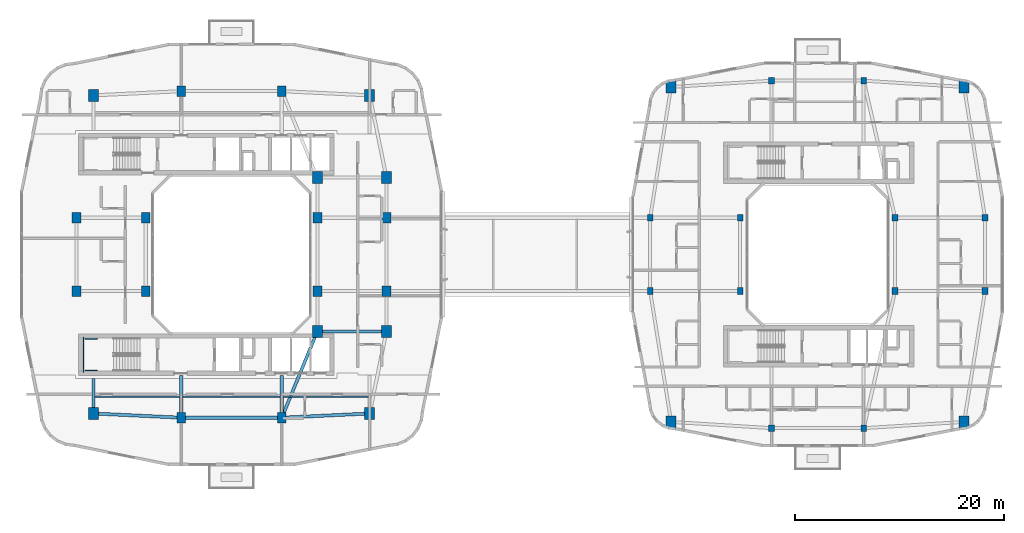
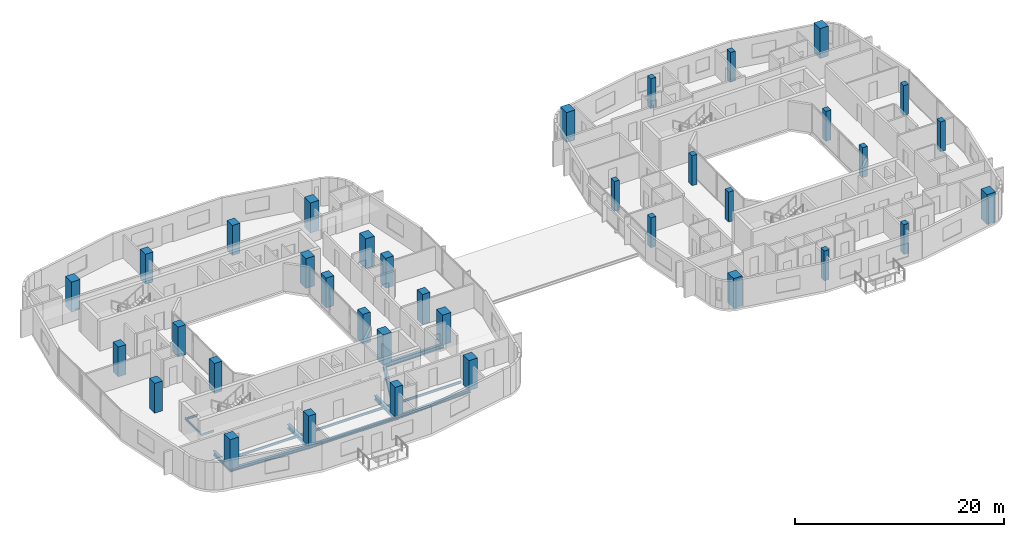
# One storey, part 1 of 22: 36 columns, 14 beams.
"""IFC4 building model written with IfcOpenShell, lengths in metres."""

import ifcopenshell
import ifcopenshell.guid

model = None  # the IFC model being written
_history = None  # IfcOwnerHistory: only IFC2X3 demands one
_inside = {}  # id of a spatial element -> (the spatial element, [elements in it])
_under = {}  # id of a project, library or spatial element -> (it, [spatial elements below it])
_declared = {}  # id of a project -> (the project, [libraries it declares])
_typed = {}  # id of a type object -> (the type object, [elements of that type])
_made_of = {}  # id of a material, layer set ... -> (it, [elements and type objects made of it])


def new_model(schema):
    """Start an empty IFC model of exactly this schema.

    Asked for "IFC4X3", IfcOpenShell would pick the latest addendum, in which some entities
    have other attributes; the version numbers below select the first issue.
    IFC2X3 requires an IfcOwnerHistory on every rooted entity: one is made here for all.
    """
    global model, _history
    if schema == "IFC4X3":
        model = ifcopenshell.file(schema_version=(4, 3, 0, 0))
    else:
        model = ifcopenshell.file(schema=schema)
    _inside.clear()
    _under.clear()
    _declared.clear()
    _typed.clear()
    _made_of.clear()
    _history = None
    if model.schema == "IFC2X3":
        org = make("IfcOrganization", Name="unknown")
        user = make(
            "IfcPersonAndOrganization",
            ThePerson=make("IfcPerson", FamilyName="unknown"),
            TheOrganization=org,
        )
        app = make(
            "IfcApplication",
            ApplicationDeveloper=org,
            Version="unknown",
            ApplicationFullName="unknown",
            ApplicationIdentifier="unknown",
        )
        _history = make(
            "IfcOwnerHistory",
            OwningUser=user,
            OwningApplication=app,
            ChangeAction="ADDED",
            CreationDate=0,
        )
    return model


def make(cls, **values):
    """One entity of the class cls with the attributes given. An attribute that is None is left unset."""
    return model.create_entity(
        cls, **{name: value for name, value in values.items() if value is not None}
    )


def rooted(cls, **values):
    """An entity with a GlobalId (a new one), such as an element, a storey or a relation."""
    return make(cls, GlobalId=ifcopenshell.guid.new(), OwnerHistory=_history, **values)


def si_unit(unit_type, name, prefix=None):
    """IfcSIUnit, for example si_unit("LENGTHUNIT", "METRE", prefix="MILLI")."""
    return make("IfcSIUnit", UnitType=unit_type, Prefix=prefix, Name=name)


def derived_unit(unit_type, elements):
    """IfcDerivedUnit: a product of units, each with its exponent."""
    return make(
        "IfcDerivedUnit",
        Elements=[
            make("IfcDerivedUnitElement", Unit=unit, Exponent=power)
            for unit, power in elements
        ],
        UnitType=unit_type,
    )


def assignment(units):
    """IfcUnitAssignment: the units of a project."""
    return None if units is None else make("IfcUnitAssignment", Units=units)


def point(xyz):
    """IfcCartesianPoint."""
    return None if xyz is None else make("IfcCartesianPoint", Coordinates=xyz)


def direction(xyz):
    """IfcDirection."""
    return None if xyz is None else make("IfcDirection", DirectionRatios=xyz)


def frame(location, z_axis=None, x_axis=None):
    """IfcAxis2Placement3D, a coordinate frame: its origin and axes. An axis left out is left unset."""
    return make(
        "IfcAxis2Placement3D",
        Location=point(location),
        Axis=direction(z_axis),
        RefDirection=direction(x_axis),
    )


def frame_2d(location, x_axis=None):
    """IfcAxis2Placement2D, a coordinate frame in the plane: its origin and x axis."""
    return make(
        "IfcAxis2Placement2D", Location=point(location), RefDirection=direction(x_axis)
    )


def origin():
    """The frame at (0, 0, 0) with its axes left unset."""
    return frame((0.0, 0.0, 0.0))


def origin_2d():
    """The frame at (0, 0) in the plane with its x axis left unset."""
    return frame_2d((0.0, 0.0))


def place(relative_to, where):
    """IfcLocalPlacement: puts the frame where relative to a parent placement (None: the world)."""
    return make(
        "IfcLocalPlacement", PlacementRelTo=relative_to, RelativePlacement=where
    )


def context(
    kind, dimensions, precision=None, world=None, true_north=None, identifier=None
):
    """IfcGeometricRepresentationContext, for example the 3D "Model" context."""
    return make(
        "IfcGeometricRepresentationContext",
        ContextIdentifier=identifier,
        ContextType=kind,
        CoordinateSpaceDimension=dimensions,
        Precision=precision,
        WorldCoordinateSystem=world,
        TrueNorth=true_north,
    )


def subcontext(parent, identifier, kind, view, scale=None):
    """IfcGeometricRepresentationSubContext, for example "Body" below "Model"."""
    return make(
        "IfcGeometricRepresentationSubContext",
        ContextIdentifier=identifier,
        ContextType=kind,
        ParentContext=parent,
        TargetScale=scale,
        TargetView=view,
    )


def project(units=None, contexts=None):
    """IfcProject with its units and contexts."""
    return rooted(
        "IfcProject",
        Name="project",
        RepresentationContexts=contexts,
        UnitsInContext=assignment(units),
    )


def spatial(cls, under=None, at=None, **own):
    """A site, building, storey or space (cls), placed at a placement, below another one or the project."""
    s = rooted(cls, ObjectPlacement=at, **own)
    if under is not None:
        _under.setdefault(under.id(), (under, []))[1].append(s)
    return s


def profile(cls, at=None, kind="AREA", **sizes):
    """A parametric profile (cls). Its sizes go by their IFC names, for example OverallWidth=200.0."""
    return make(cls, ProfileType=kind, Position=at, **sizes)


def rectangle(**sizes):
    """IfcRectangleProfileDef."""
    return profile("IfcRectangleProfileDef", **sizes)


def i_section(**sizes):
    """IfcIShapeProfileDef."""
    return profile("IfcIShapeProfileDef", **sizes)


def extrude(swept, where, along, depth):
    """IfcExtrudedAreaSolid: the profile swept, set in the frame where, extruded along a direction by depth."""
    return make(
        "IfcExtrudedAreaSolid",
        SweptArea=swept,
        Position=where,
        ExtrudedDirection=direction(along),
        Depth=depth,
    )


def shape(context_of_items, identifier, shape_type, items):
    """IfcShapeRepresentation: the items that make up one representation, for example the "Body"."""
    return make(
        "IfcShapeRepresentation",
        ContextOfItems=context_of_items,
        RepresentationIdentifier=identifier,
        RepresentationType=shape_type,
        Items=items,
    )


def material(Name=None, Category=None):
    """IfcMaterial."""
    return make("IfcMaterial", Name=Name, Category=Category)


def material_profile(
    of_material, cross_section, Name=None, Category=None, Priority=None
):
    """IfcMaterialProfile: a cross section and its material."""
    return make(
        "IfcMaterialProfile",
        Name=Name,
        Material=of_material,
        Profile=cross_section,
        Priority=Priority,
        Category=Category,
    )


def profile_set(profiles, Name=None, composite=None):
    """IfcMaterialProfileSet."""
    return make(
        "IfcMaterialProfileSet",
        Name=Name,
        MaterialProfiles=profiles,
        CompositeProfile=composite,
    )


def made_of(thing, what):
    """Note that an element or type object is made of a material, layer set ...; save() writes the relation."""
    if what is not None:
        _made_of.setdefault(what.id(), (what, []))[1].append(thing)
    return thing


def type_object(cls, material=None, **own):
    """A type object (cls), such as IfcWallType, which elements share."""
    return made_of(rooted(cls, **own), material)


def element(
    cls,
    number,
    at=None,
    inside=None,
    cuts=None,
    type_object=None,
    material=None,
    context=None,
    identifier="Body",
    shape_type=None,
    held_by="IfcProductDefinitionShape",
    body=None,
    shapes=None,
    **own,
):
    """One element of the class cls, such as IfcWall. Its Tag is "e" and its number.

    at: its placement. inside: the storey or other place that contains it. cuts: it is an
    opening in that element (IfcRelVoidsElement). A single representation is given by context,
    identifier, shape_type and body (its items); several are given by shapes. held_by: the class
    of the entity that holds the representations. save() writes the other relations.
    """
    e = rooted(cls, Tag="e%d" % number, ObjectPlacement=at, **own)
    if body is not None:
        shapes = [shape(context, identifier, shape_type, body)]
    if shapes is not None:
        e.Representation = make(held_by, Representations=shapes)
    if inside is not None:
        _inside.setdefault(inside.id(), (inside, []))[1].append(e)
    if cuts is not None:
        rooted(
            "IfcRelVoidsElement", RelatingBuildingElement=cuts, RelatedOpeningElement=e
        )
    if type_object is not None:
        _typed.setdefault(type_object.id(), (type_object, []))[1].append(e)
    return made_of(e, material)


def aggregate(whole, parts):
    """IfcRelAggregates: a whole, such as a stair, and the parts it consists of."""
    return rooted("IfcRelAggregates", RelatingObject=whole, RelatedObjects=parts)


def save(model, path):
    """Write the relations noted so far, then the file.

    IfcRelAggregates (storeys below a building ...), IfcRelContainedInSpatialStructure (elements
    in a storey), IfcRelDefinesByType, IfcRelAssociatesMaterial and IfcRelDeclares: one each for
    every whole, place, type object, material and project.
    """
    for whole, parts in _under.values():
        aggregate(whole, parts)
    for where, things in _inside.values():
        rooted(
            "IfcRelContainedInSpatialStructure",
            RelatedElements=things,
            RelatingStructure=where,
        )
    for kind, things in _typed.values():
        rooted("IfcRelDefinesByType", RelatedObjects=things, RelatingType=kind)
    for what, things in _made_of.values():
        rooted("IfcRelAssociatesMaterial", RelatedObjects=things, RelatingMaterial=what)
    for by, libraries in _declared.values():
        rooted("IfcRelDeclares", RelatingContext=by, RelatedDefinitions=libraries)
    model.write(path)


model = new_model("IFC4")

# Units and contexts
model_context = context("Model", 3, precision=1e-05, world=origin(), true_north=direction((0.0, 1.0)))
body_context = subcontext(model_context, "Body", "Model", "MODEL_VIEW")
ifc_project = project(units=[si_unit("LENGTHUNIT", "METRE"), si_unit("AREAUNIT", "SQUARE_METRE"), si_unit("VOLUMEUNIT", "CUBIC_METRE"), si_unit("PLANEANGLEUNIT", "RADIAN"), si_unit("MASSUNIT", "GRAM", prefix="KILO"), derived_unit("THERMALTRANSMITTANCEUNIT", [(si_unit("POWERUNIT", "WATT"), 1), (si_unit("LENGTHUNIT", "METRE"), -2), (si_unit("THERMODYNAMICTEMPERATUREUNIT", "KELVIN"), -1)])], contexts=[model_context])

# Site, building, storey
site_placement = place(None, origin())
site = spatial("IfcSite", under=ifc_project, at=site_placement, CompositionType="ELEMENT")
building_placement = place(site_placement, origin())
building = spatial("IfcBuilding", under=site, at=building_placement, Name="Kivonza Crest Hotel", CompositionType="ELEMENT")
storey_placement = place(building_placement, frame((0.0, 0.0, 124.0)))
storey = spatial("IfcBuildingStorey", under=building, at=storey_placement, Name="L33", CompositionType="ELEMENT", Elevation=124.0)

# Columns
ifc_material_1 = material(Name="Concrete C50/60", Category="concrete")
ifc_material_profile_1 = material_profile(ifc_material_1, rectangle(XDim=0.85009765625, YDim=1.0, at=origin_2d()), Name="RC 1000x850")
ifc_profile_set_1 = profile_set([ifc_material_profile_1], Name="Concrete C50/60")
column_type_1 = type_object("IfcColumnType", Name="CL-RC-1000x850", PredefinedType="COLUMN", material=ifc_profile_set_1)
for number, where, z_axis, x_axis, name in (
    (1, (16.199951171875, 9.39990234375, 0.0), (0.0, 0.0, 1.0), (1.0, 0.0, 0.0), "Tower T1 L33 column S1"),
    (2, (25.800048828125, 9.39990234375, 0.0), (0.0, 0.0, 1.0), (1.0, 0.0, 0.0), "Tower T1 L33 column S2"),
    (3, (16.199951171875, 40.60009765625, 0.0), (0.0, 0.0, 1.0), (1.0, 0.0, 0.0), "Tower T1 L33 column N1"),
    (4, (25.800048828125, 40.60009765625, 0.0), (0.0, 0.0, 1.0), (1.0, 0.0, 0.0), "Tower T1 L33 column N2"),
    (5, (6.199951171875, 21.5, 0.0), (0.0, 0.0, 1.0), (1.0, 0.0, 0.0), "Tower T1 L33 column W1"),
    (6, (6.199951171875, 28.5, 0.0), (0.0, 0.0, 1.0), (1.0, 0.0, 0.0), "Tower T1 L33 column W2"),
    (7, (35.800048828125, 21.5, 0.0), (0.0, 0.0, 1.0), (1.0, 0.0, 0.0), "Tower T1 L33 column E1"),
    (8, (35.800048828125, 28.5, 0.0), (0.0, 0.0, 1.0), (1.0, 0.0, 0.0), "Tower T1 L33 column E2"),
    (9, (12.800048828125, 21.5, 0.0), (0.0, 0.0, 1.0), (1.0, 0.0, 0.0), "Tower T1 L33 column WL1"),
    (10, (12.800048828125, 28.5, 0.0), (0.0, 0.0, 1.0), (1.0, 0.0, 0.0), "Tower T1 L33 column WL2"),
    (11, (29.199951171875, 21.5, 0.0), (0.0, 0.0, 1.0), (1.0, 0.0, 0.0), "Tower T1 L33 column WR1"),
    (12, (29.199951171875, 28.5, 0.0), (0.0, 0.0, 1.0), (1.0, 0.0, 0.0), "Tower T1 L33 column WR2"),
):
    element("IfcColumn", number, at=place(storey_placement, frame(where, z_axis=z_axis, x_axis=x_axis)), inside=storey, type_object=column_type_1, Name=name, PredefinedType="COLUMN", context=body_context, shape_type="SweptSolid", body=[
        extrude(rectangle(XDim=0.85009765625, YDim=1.0, at=origin_2d()), origin(), (0.0, 0.0, 1.0), 3.5),
    ])
ifc_material_2 = material(Name="Concrete C60/75", Category="concrete")
ifc_material_profile_2 = material_profile(ifc_material_2, rectangle(XDim=0.949951171875, YDim=1.14990234375, at=origin_2d()), Name="RC 1150x950")
ifc_profile_set_2 = profile_set([ifc_material_profile_2], Name="Concrete C60/75")
column_type_2 = type_object("IfcColumnType", Name="CL-RC-1150x950", PredefinedType="COLUMN", material=ifc_profile_set_2)
for number, where, z_axis, x_axis, name in (
    (13, (7.800048828125, 9.800048828125, 0.0), (0.0, 0.0, 1.0), (1.0, 0.0, 0.0), "Tower T1 L33 column SW"),
    (14, (34.199951171875, 9.800048828125, 0.0), (0.0, 0.0, 1.0), (1.0, 0.0, 0.0), "Tower T1 L33 column SE"),
    (15, (34.199951171875, 40.199951171875, 0.0), (0.0, 0.0, 1.0), (1.0, 0.0, 0.0), "Tower T1 L33 column NE"),
    (16, (7.800048828125, 40.199951171875, 0.0), (0.0, 0.0, 1.0), (1.0, 0.0, 0.0), "Tower T1 L33 column NW"),
    (17, (35.800048828125, 17.64990234375, 0.0), (0.0, 0.0, 1.0), (1.0, 0.0, 0.0), "Tower T1 L33 column PSE"),
    (18, (35.800048828125, 32.35009765625, 0.0), (0.0, 0.0, 1.0), (1.0, 0.0, 0.0), "Tower T1 L33 column PNE"),
    (19, (29.199951171875, 17.64990234375, 0.0), (0.0, 0.0, 1.0), (1.0, 0.0, 0.0), "Tower T1 L33 column TSE"),
    (20, (29.199951171875, 32.35009765625, 0.0), (0.0, 0.0, 1.0), (1.0, 0.0, 0.0), "Tower T1 L33 column TNE"),
    (21, (63.0, 9.0, 0.0), (0.0, 0.0, 1.0), (1.0, 0.0, 0.0), "Companion Tower T2 L33 column SW"),
    (22, (91.0, 9.0, 0.0), (0.0, 0.0, 1.0), (1.0, 0.0, 0.0), "Companion Tower T2 L33 column SE"),
    (23, (91.0, 41.0, 0.0), (0.0, 0.0, 1.0), (1.0, 0.0, 0.0), "Companion Tower T2 L33 column NE"),
    (24, (63.0, 41.0, 0.0), (0.0, 0.0, 1.0), (1.0, 0.0, 0.0), "Companion Tower T2 L33 column NW"),
):
    element("IfcColumn", number, at=place(storey_placement, frame(where, z_axis=z_axis, x_axis=x_axis)), inside=storey, type_object=column_type_2, Name=name, PredefinedType="COLUMN", context=body_context, shape_type="SweptSolid", body=[
        extrude(rectangle(XDim=0.949951171875, YDim=1.14990234375, at=origin_2d()), origin(), (0.0, 0.0, 1.0), 3.5),
    ])
ifc_material_profile_3 = material_profile(ifc_material_1, rectangle(XDim=0.550048828125, YDim=0.64990234375, at=origin_2d()), Name="RC 650x550")
ifc_profile_set_3 = profile_set([ifc_material_profile_3], Name="Concrete C50/60")
column_type_3 = type_object("IfcColumnType", Name="CL-RC-650x550", PredefinedType="COLUMN", material=ifc_profile_set_3)
for number, where, z_axis, x_axis, name in (
    (25, (72.60009765625, 8.39990234375, 0.0), (0.0, 0.0, 1.0), (1.0, 0.0, 0.0), "Companion Tower T2 L33 column S1"),
    (26, (81.39990234375, 8.39990234375, 0.0), (0.0, 0.0, 1.0), (1.0, 0.0, 0.0), "Companion Tower T2 L33 column S2"),
    (27, (72.60009765625, 41.60009765625, 0.0), (0.0, 0.0, 1.0), (1.0, 0.0, 0.0), "Companion Tower T2 L33 column N1"),
    (28, (81.39990234375, 41.60009765625, 0.0), (0.0, 0.0, 1.0), (1.0, 0.0, 0.0), "Companion Tower T2 L33 column N2"),
    (29, (61.0, 21.5, 0.0), (0.0, 0.0, 1.0), (1.0, 0.0, 0.0), "Companion Tower T2 L33 column W1"),
    (30, (61.0, 28.5, 0.0), (0.0, 0.0, 1.0), (1.0, 0.0, 0.0), "Companion Tower T2 L33 column W2"),
    (31, (93.0, 21.5, 0.0), (0.0, 0.0, 1.0), (1.0, 0.0, 0.0), "Companion Tower T2 L33 column E1"),
    (32, (93.0, 28.5, 0.0), (0.0, 0.0, 1.0), (1.0, 0.0, 0.0), "Companion Tower T2 L33 column E2"),
    (33, (69.60009765625, 21.5, 0.0), (0.0, 0.0, 1.0), (1.0, 0.0, 0.0), "Companion Tower T2 L33 column WL1"),
    (34, (69.60009765625, 28.5, 0.0), (0.0, 0.0, 1.0), (1.0, 0.0, 0.0), "Companion Tower T2 L33 column WL2"),
    (35, (84.39990234375, 21.5, 0.0), (0.0, 0.0, 1.0), (1.0, 0.0, 0.0), "Companion Tower T2 L33 column WR1"),
    (36, (84.39990234375, 28.5, 0.0), (0.0, 0.0, 1.0), (1.0, 0.0, 0.0), "Companion Tower T2 L33 column WR2"),
):
    element("IfcColumn", number, at=place(storey_placement, frame(where, z_axis=z_axis, x_axis=x_axis)), inside=storey, type_object=column_type_3, Name=name, PredefinedType="COLUMN", context=body_context, shape_type="SweptSolid", body=[
        extrude(rectangle(XDim=0.550048828125, YDim=0.64990234375, at=origin_2d()), origin(), (0.0, 0.0, 1.0), 3.5),
    ])

# Beams
ifc_material_3 = material(Name="Steel S355", Category="steel")
ifc_material_profile_4 = material_profile(ifc_material_3, i_section(OverallWidth=0.300048828125, OverallDepth=0.360107421875, WebThickness=0.012451171875, FlangeThickness=0.0224609375, FilletRadius=0.027099609375, at=origin_2d()), Name="HEB 360")
ifc_profile_set_4 = profile_set([ifc_material_profile_4], Name="Steel S355")
beam_type_1 = type_object("IfcBeamType", Name="BM-HEB360", PredefinedType="SPANDREL", material=ifc_profile_set_4)
beam_1_placement = place(storey_placement, frame((16.199951171875, 9.39990234375, -0.4599609375), z_axis=(1.0, 0.0, 0.0), x_axis=(0.0, 1.0, 0.0)))
element("IfcBeam", 37, at=beam_1_placement, inside=storey, type_object=beam_type_1, Name="Tower T1 L33 perimeter spandrel S1-S2", PredefinedType="SPANDREL", context=body_context, shape_type="SweptSolid", body=[
    extrude(i_section(OverallWidth=0.300048828125, OverallDepth=0.360107421875, WebThickness=0.012451171875, FlangeThickness=0.0224609375, FilletRadius=0.027099609375, at=origin_2d()), origin(), (0.0, 0.0, 1.0), 9.60009765625),
])
for number, where, z_axis, x_axis, name in (
    (38, (25.800048828125, 9.39990234375, -0.4599609375), (0.998867283688, 0.047583080799, 0.0), (-0.047583080799, 0.998867283688, 0.0), "Tower T1 L33 perimeter spandrel S2-SE"),
    (39, (7.800048828125, 9.800048828125, -0.4599609375), (0.998867283688, -0.047583080799, 0.0), (0.047583080799, 0.998867283688, 0.0), "Tower T1 L33 perimeter spandrel SW-S1"),
):
    element("IfcBeam", number, at=place(storey_placement, frame(where, z_axis=z_axis, x_axis=x_axis)), inside=storey, type_object=beam_type_1, Name=name, PredefinedType="SPANDREL", context=body_context, shape_type="SweptSolid", body=[
        extrude(i_section(OverallWidth=0.300048828125, OverallDepth=0.360107421875, WebThickness=0.012451171875, FlangeThickness=0.0224609375, FilletRadius=0.027099609375, at=origin_2d()), origin(), (0.0, 0.0, 1.0), 8.409423828125),
    ])
ifc_material_profile_5 = material_profile(ifc_material_3, i_section(OverallWidth=0.300048828125, OverallDepth=0.5, WebThickness=0.014404296875, FlangeThickness=0.028076171875, FilletRadius=0.027099609375, at=origin_2d()), Name="HEB 500")
ifc_profile_set_5 = profile_set([ifc_material_profile_5], Name="Steel S355")
beam_type_2 = type_object("IfcBeamType", Name="BM-HEB500", PredefinedType="BEAM", material=ifc_profile_set_5)
beam_2_placement = place(storey_placement, frame((25.800048828125, 9.39990234375, -0.530029296875), z_axis=(0.381022260404, 0.924565864109, 0.0), x_axis=(-0.924565864109, 0.381022260404, 0.0)))
element("IfcBeam", 40, at=beam_2_placement, inside=storey, type_object=beam_type_2, Name="Tower T1 L33 primary girder S1-TSE", PredefinedType="BEAM", context=body_context, shape_type="SweptSolid", body=[
    extrude(i_section(OverallWidth=0.300048828125, OverallDepth=0.5, WebThickness=0.014404296875, FlangeThickness=0.028076171875, FilletRadius=0.027099609375, at=origin_2d()), origin(), (0.0, 0.0, 1.0), 8.923095703125),
])
beam_3_placement = place(storey_placement, frame((29.199951171875, 17.64990234375, -0.530029296875), z_axis=(1.0, 0.0, 0.0), x_axis=(0.0, 1.0, 0.0)))
element("IfcBeam", 41, at=beam_3_placement, inside=storey, type_object=beam_type_2, Name="Tower T1 L33 primary girder TSE-PSE", PredefinedType="BEAM", context=body_context, shape_type="SweptSolid", body=[
    extrude(i_section(OverallWidth=0.300048828125, OverallDepth=0.5, WebThickness=0.014404296875, FlangeThickness=0.028076171875, FilletRadius=0.027099609375, at=origin_2d()), origin(), (0.0, 0.0, 1.0), 6.60009765625),
])
beam_4_placement = place(storey_placement, frame((7.800048828125, 9.800048828125, -0.530029296875), z_axis=(0.0, 1.0, 0.0), x_axis=(-1.0, 0.0, 0.0)))
element("IfcBeam", 42, at=beam_4_placement, inside=storey, type_object=beam_type_2, Name="Tower T1 L33 radial core girder RSW", PredefinedType="BEAM", context=body_context, shape_type="SweptSolid", body=[
    extrude(i_section(OverallWidth=0.300048828125, OverallDepth=0.5, WebThickness=0.014404296875, FlangeThickness=0.028076171875, FilletRadius=0.027099609375, at=origin_2d()), origin(), (0.0, 0.0, 1.0), 3.349853515625),
])
for number, where, z_axis, x_axis, name in (
    (43, (16.199951171875, 9.39990234375, -0.530029296875), (0.0, 1.0, 0.0), (-1.0, 0.0, 0.0), "Tower T1 L33 radial core girder RS1"),
    (44, (25.800048828125, 9.39990234375, -0.530029296875), (0.0, 1.0, 0.0), (-1.0, 0.0, 0.0), "Tower T1 L33 radial core girder RS2"),
):
    element("IfcBeam", number, at=place(storey_placement, frame(where, z_axis=z_axis, x_axis=x_axis)), inside=storey, type_object=beam_type_2, Name=name, PredefinedType="BEAM", context=body_context, shape_type="SweptSolid", body=[
        extrude(i_section(OverallWidth=0.300048828125, OverallDepth=0.5, WebThickness=0.014404296875, FlangeThickness=0.028076171875, FilletRadius=0.027099609375, at=origin_2d()), origin(), (0.0, 0.0, 1.0), 4.050048828125),
    ])
ifc_material_profile_6 = material_profile(ifc_material_3, i_section(OverallWidth=0.135009765625, OverallDepth=0.27001953125, WebThickness=0.006591796875, FlangeThickness=0.01025390625, FilletRadius=0.014892578125, at=origin_2d()), Name="IPE 270")
ifc_profile_set_6 = profile_set([ifc_material_profile_6], Name="Steel S355")
beam_type_3 = type_object("IfcBeamType", Name="BM-IPE270", PredefinedType="JOIST", material=ifc_profile_set_6)
beam_5_placement = place(storey_placement, frame((7.8798828125, 11.39990234375, -0.4150390625), z_axis=(1.0, 0.0, 0.0), x_axis=(0.0, 1.0, 0.0)))
element("IfcBeam", 45, at=beam_5_placement, inside=storey, type_object=beam_type_3, Name="Tower T1 L33 South-West floor joist", PredefinedType="JOIST", context=body_context, shape_type="SweptSolid", body=[
    extrude(i_section(OverallWidth=0.135009765625, OverallDepth=0.27001953125, WebThickness=0.006591796875, FlangeThickness=0.01025390625, FilletRadius=0.014892578125, at=origin_2d()), origin(), (0.0, 0.0, 1.0), 8.240234375),
])
beam_6_placement = place(storey_placement, frame((16.280029296875, 11.39990234375, -0.4150390625), z_axis=(1.0, 0.0, 0.0), x_axis=(0.0, 1.0, 0.0)))
element("IfcBeam", 46, at=beam_6_placement, inside=storey, type_object=beam_type_3, Name="Tower T1 L33 South-Mid floor joist", PredefinedType="JOIST", context=body_context, shape_type="SweptSolid", body=[
    extrude(i_section(OverallWidth=0.135009765625, OverallDepth=0.27001953125, WebThickness=0.006591796875, FlangeThickness=0.01025390625, FilletRadius=0.014892578125, at=origin_2d()), origin(), (0.0, 0.0, 1.0), 9.43994140625),
])
beam_7_placement = place(storey_placement, frame((25.8798828125, 11.39990234375, -0.4150390625), z_axis=(1.0, 0.0, 0.0), x_axis=(0.0, 1.0, 0.0)))
element("IfcBeam", 47, at=beam_7_placement, inside=storey, type_object=beam_type_3, Name="Tower T1 L33 South-East floor joist", PredefinedType="JOIST", context=body_context, shape_type="SweptSolid", body=[
    extrude(i_section(OverallWidth=0.135009765625, OverallDepth=0.27001953125, WebThickness=0.006591796875, FlangeThickness=0.01025390625, FilletRadius=0.014892578125, at=origin_2d()), origin(), (0.0, 0.0, 1.0), 8.240234375),
])
ifc_material_profile_7 = material_profile(ifc_material_3, i_section(OverallWidth=0.1201171875, OverallDepth=0.239990234375, WebThickness=0.006103515625, FlangeThickness=0.009765625, FilletRadius=0.014892578125, at=origin_2d()), Name="IPE 240")
ifc_profile_set_7 = profile_set([ifc_material_profile_7], Name="Steel S355")
beam_type_4 = type_object("IfcBeamType", Name="BM-LLDG-240", PredefinedType="BEAM", material=ifc_profile_set_7)
beam_8_placement = place(storey_placement, frame((6.860107421875, 13.739990234375, 1.429931640625), z_axis=(0.0, 1.0, 0.0), x_axis=(-1.0, 0.0, 0.0)))
element("IfcBeam", 48, at=beam_8_placement, inside=storey, type_object=beam_type_4, Name="Stair ST-T1-S L33 West landing corbel", PredefinedType="BEAM", context=body_context, shape_type="SweptSolid", body=[
    extrude(i_section(OverallWidth=0.1201171875, OverallDepth=0.239990234375, WebThickness=0.006103515625, FlangeThickness=0.009765625, FilletRadius=0.014892578125, at=origin_2d()), origin(), (0.0, 0.0, 1.0), 3.360107421875),
])
for number, where, z_axis, x_axis, name in (
    (49, (6.989990234375, 13.89990234375, 1.429931640625), (1.0, 0.0, 0.0), (0.0, 1.0, 0.0), "Stair ST-T1-S L33 South landing corbel"),
    (50, (6.989990234375, 16.93994140625, 1.429931640625), (1.0, 0.0, 0.0), (0.0, 1.0, 0.0), "Stair ST-T1-S L33 North landing corbel"),
):
    element("IfcBeam", number, at=place(storey_placement, frame(where, z_axis=z_axis, x_axis=x_axis)), inside=storey, type_object=beam_type_4, Name=name, PredefinedType="BEAM", context=body_context, shape_type="SweptSolid", body=[
        extrude(i_section(OverallWidth=0.1201171875, OverallDepth=0.239990234375, WebThickness=0.006103515625, FlangeThickness=0.009765625, FilletRadius=0.014892578125, at=origin_2d()), origin(), (0.0, 0.0, 1.0), 1.2099609375),
    ])

save(model, "model.ifc")
